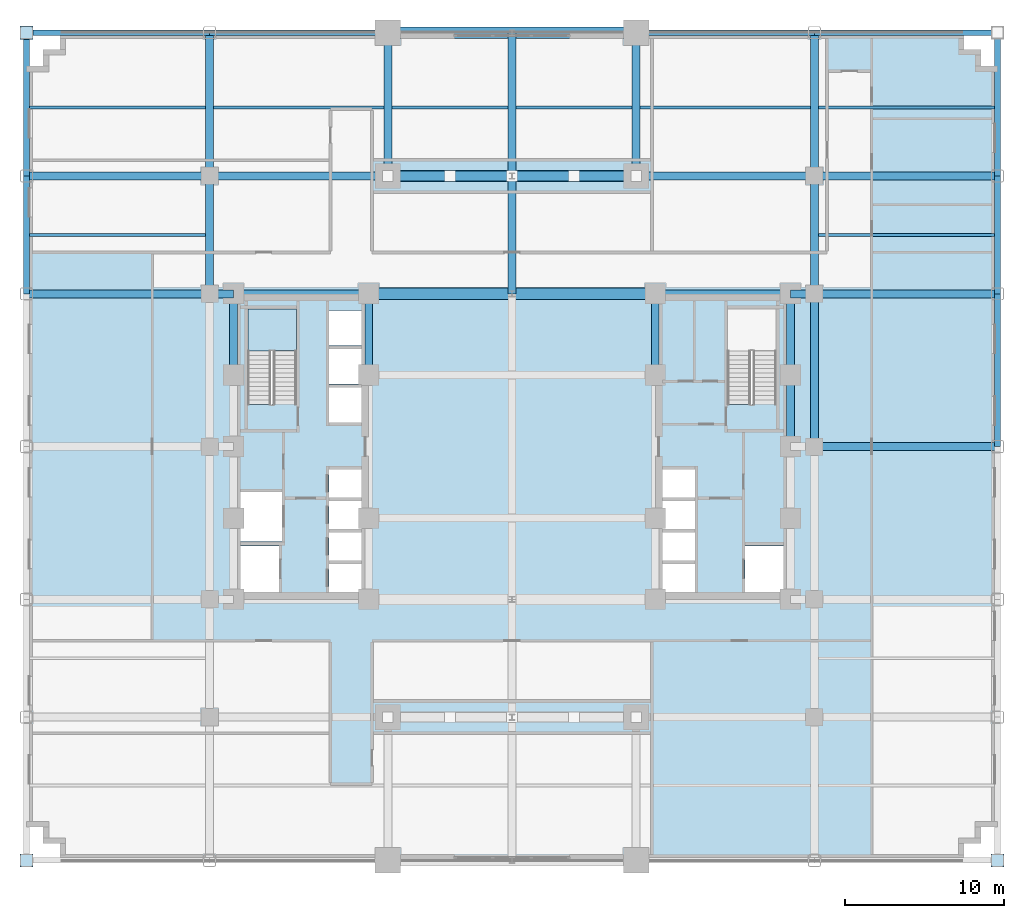
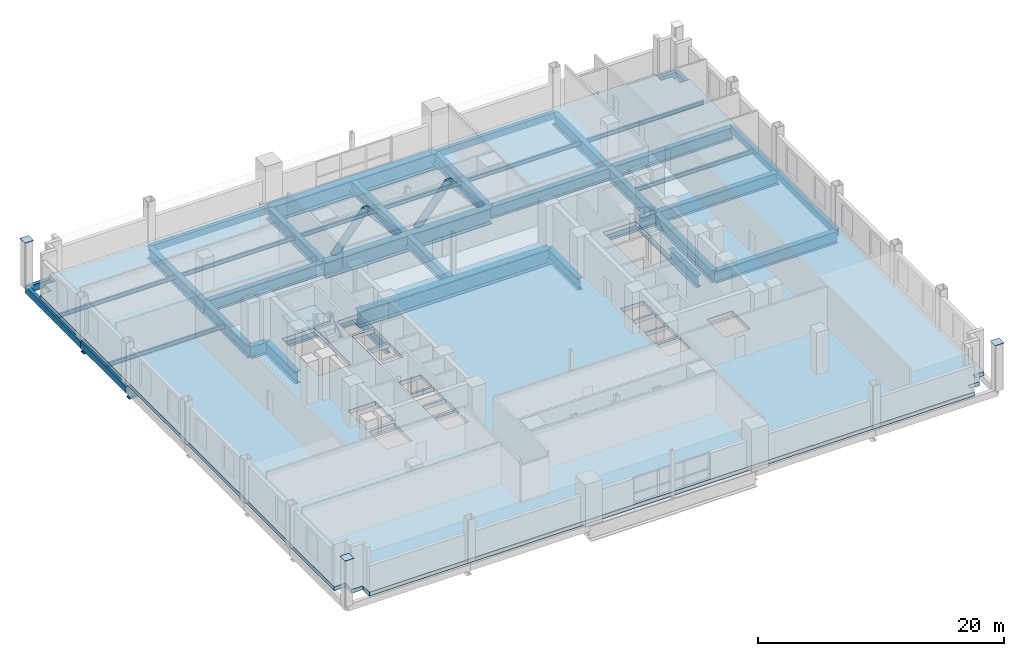
# One storey, part 5 of 17: 45 beams, 4 members, 3 plates, 2 slabs, 1 element without a shape of its own.
"""IFC4 building model written with IfcOpenShell, lengths in metres."""

from ifc_helpers import new_model, si_unit, direction, frame, origin, origin_2d, place, context, subcontext, project, spatial, polyline, rectangle, hollow_circle, i_section, outline, extrude, source, transform, mapped, material, layer, layer_set, material_profile, profile_set, type_object, type_shapes, element, aggregate, save


model = new_model("IFC4")

# Units and contexts
model_context = context("Model", 3, precision=1e-05, world=origin(), true_north=direction((0.0, 1.0)))
body_context = subcontext(model_context, "Body", "Model", "MODEL_VIEW")
ifc_project = project(units=[si_unit("LENGTHUNIT", "METRE"), si_unit("AREAUNIT", "SQUARE_METRE"), si_unit("VOLUMEUNIT", "CUBIC_METRE"), si_unit("PLANEANGLEUNIT", "RADIAN"), si_unit("MASSUNIT", "GRAM", prefix="KILO")], contexts=[model_context])

# Site, building, storey
site_placement = place(None, origin())
site = spatial("IfcSite", under=ifc_project, at=site_placement, CompositionType="ELEMENT")
building_placement = place(site_placement, origin())
building = spatial("IfcBuilding", under=site, at=building_placement, Name="Nuvemarco Arch Tower", CompositionType="ELEMENT")
storey_placement = place(building_placement, frame((0.0, 0.0, 18.39990234375)))
storey = spatial("IfcBuildingStorey", under=building, at=storey_placement, Name="L04", CompositionType="ELEMENT", Elevation=18.39990234375)

# Beams
ifc_material_1 = material(Name="Steel S460", Category="steel")
ifc_material_profile_1 = material_profile(ifc_material_1, i_section(OverallWidth=0.699951171875, OverallDepth=1.60009765625, WebThickness=0.035888671875, FlangeThickness=0.06494140625, FilletRadius=0.02392578125, at=origin_2d()), Name="PG1600x700")
ifc_profile_set_1 = profile_set([ifc_material_profile_1], Name="Steel S460")
beam_type_1 = type_object("IfcBeamType", Name="BM-ARCH-TRUSS", PredefinedType="BEAM", material=ifc_profile_set_1)
beam_1_placement = place(storey_placement, frame((-9.0, 9.60009765625, -1.199951171875), z_axis=(1.0, 0.0, 0.0), x_axis=(0.0, 1.0, 0.0)))
element("IfcBeam", 1, at=beam_1_placement, inside=storey, type_object=beam_type_1, Name="L04 Giant Arch transfer girder chord +9.6", PredefinedType="BEAM", context=body_context, shape_type="SweptSolid", body=[
    extrude(i_section(OverallWidth=0.699951171875, OverallDepth=1.60009765625, WebThickness=0.035888671875, FlangeThickness=0.06494140625, FilletRadius=0.02392578125, at=origin_2d()), origin(), (0.0, 0.0, 1.0), 18.0),
])
beam_2_placement = place(storey_placement, frame((-7.800048828125, 17.0, -1.199951171875), z_axis=(1.0, 0.0, 0.0), x_axis=(0.0, 1.0, 0.0)))
element("IfcBeam", 2, at=beam_2_placement, inside=storey, type_object=beam_type_1, Name="L04 Giant Arch transfer girder chord +17.0", PredefinedType="BEAM", context=body_context, shape_type="SweptSolid", body=[
    extrude(i_section(OverallWidth=0.699951171875, OverallDepth=1.60009765625, WebThickness=0.035888671875, FlangeThickness=0.06494140625, FilletRadius=0.02392578125, at=origin_2d()), origin(), (0.0, 0.0, 1.0), 15.60009765625),
])
ifc_material_profile_2 = material_profile(ifc_material_1, i_section(OverallWidth=0.699951171875, OverallDepth=1.60009765625, WebThickness=0.035888671875, FlangeThickness=0.06494140625, FilletRadius=0.02392578125, at=origin_2d()), Name="PG1600x700")
ifc_profile_set_2 = profile_set([ifc_material_profile_2], Name="Steel S460")
beam_type_2 = type_object("IfcBeamType", Name="BM-ARCH-TRUSS-EXT", PredefinedType="BEAM", material=ifc_profile_set_2)
beam_3_placement = place(storey_placement, frame((-7.800048828125, 26.0, -1.199951171875), z_axis=(1.0, 0.0, 0.0), x_axis=(0.0, 1.0, 0.0)))
element("IfcBeam", 3, at=beam_3_placement, inside=storey, type_object=beam_type_2, Name="L04 Giant Arch transfer girder chord +26.0", PredefinedType="BEAM", context=body_context, shape_type="SweptSolid", body=[
    extrude(i_section(OverallWidth=0.699951171875, OverallDepth=1.60009765625, WebThickness=0.035888671875, FlangeThickness=0.06494140625, FilletRadius=0.02392578125, at=origin_2d()), origin(), (0.0, 0.0, 1.0), 15.60009765625),
])
ifc_material_2 = material(Name="Steel S355", Category="steel")
ifc_material_profile_3 = material_profile(ifc_material_2, i_section(OverallWidth=0.5, OverallDepth=1.199951171875, WebThickness=0.02587890625, FlangeThickness=0.0400390625, FilletRadius=0.01806640625, at=origin_2d()), Name="PG1200x500")
ifc_profile_set_3 = profile_set([ifc_material_profile_3], Name="Steel S355")
beam_type_3 = type_object("IfcBeamType", Name="BM-GIRD-1200", PredefinedType="BEAM", material=ifc_profile_set_3)
beam_4_placement = place(storey_placement, frame((-19.0, 9.60009765625, -1.0), z_axis=(0.0, 1.0, 0.0), x_axis=(-1.0, 0.0, 0.0)))
element("IfcBeam", 4, at=beam_4_placement, inside=storey, type_object=beam_type_3, Name="L04 structural beam BGNS_L04_0_-19.0_+9.6", PredefinedType="BEAM", context=body_context, shape_type="SweptSolid", body=[
    extrude(i_section(OverallWidth=0.5, OverallDepth=1.199951171875, WebThickness=0.02587890625, FlangeThickness=0.0400390625, FilletRadius=0.01806640625, at=origin_2d()), origin(), (0.0, 0.0, 1.0), 7.39990234375),
])
beam_5_placement = place(storey_placement, frame((-19.0, 17.0, -1.0), z_axis=(0.0, 1.0, 0.0), x_axis=(-1.0, 0.0, 0.0)))
element("IfcBeam", 5, at=beam_5_placement, inside=storey, type_object=beam_type_3, Name="L04 structural beam BGNS_L04_0_-19.0_+17.0", PredefinedType="BEAM", context=body_context, shape_type="SweptSolid", body=[
    extrude(i_section(OverallWidth=0.5, OverallDepth=1.199951171875, WebThickness=0.02587890625, FlangeThickness=0.0400390625, FilletRadius=0.01806640625, at=origin_2d()), origin(), (0.0, 0.0, 1.0), 9.0),
])
for number, where, z_axis, x_axis, name in (
    (6, (-17.5, 4.5, -1.0), (0.0, 1.0, 0.0), (-1.0, 0.0, 0.0), "L04 structural beam BGNS_L04_0_-17.5_+4.5"),
    (7, (-9.0, 4.5, -1.0), (0.0, 1.0, 0.0), (-1.0, 0.0, 0.0), "L04 structural beam BGNS_L04_0_-9.0_+4.5"),
):
    element("IfcBeam", number, at=place(storey_placement, frame(where, z_axis=z_axis, x_axis=x_axis)), inside=storey, type_object=beam_type_3, Name=name, PredefinedType="BEAM", context=body_context, shape_type="SweptSolid", body=[
        extrude(i_section(OverallWidth=0.5, OverallDepth=1.199951171875, WebThickness=0.02587890625, FlangeThickness=0.0400390625, FilletRadius=0.01806640625, at=origin_2d()), origin(), (0.0, 0.0, 1.0), 5.10009765625),
    ])
beam_6_placement = place(storey_placement, frame((-7.800048828125, 17.0, -1.0), z_axis=(0.0, 1.0, 0.0), x_axis=(-1.0, 0.0, 0.0)))
element("IfcBeam", 8, at=beam_6_placement, inside=storey, type_object=beam_type_3, Name="L04 structural beam BGNS_L04_0_-7.8_+17.0", PredefinedType="BEAM", context=body_context, shape_type="SweptSolid", body=[
    extrude(i_section(OverallWidth=0.5, OverallDepth=1.199951171875, WebThickness=0.02587890625, FlangeThickness=0.0400390625, FilletRadius=0.01806640625, at=origin_2d()), origin(), (0.0, 0.0, 1.0), 9.0),
])
beam_7_placement = place(storey_placement, frame((0.0, 9.60009765625, -1.0), z_axis=(0.0, 1.0, 0.0), x_axis=(-1.0, 0.0, 0.0)))
element("IfcBeam", 9, at=beam_7_placement, inside=storey, type_object=beam_type_3, Name="L04 structural beam BGNS_L04_0_+0.0_+9.6", PredefinedType="BEAM", context=body_context, shape_type="SweptSolid", body=[
    extrude(i_section(OverallWidth=0.5, OverallDepth=1.199951171875, WebThickness=0.02587890625, FlangeThickness=0.0400390625, FilletRadius=0.01806640625, at=origin_2d()), origin(), (0.0, 0.0, 1.0), 7.39990234375),
])
for number, where, z_axis, x_axis, name in (
    (10, (0.0, 17.0, -1.0), (0.0, 1.0, 0.0), (-1.0, 0.0, 0.0), "L04 structural beam BGNS_L04_0_+0.0_+17.0"),
    (11, (7.800048828125, 17.0, -1.0), (0.0, 1.0, 0.0), (-1.0, 0.0, 0.0), "L04 structural beam BGNS_L04_0_+7.8_+17.0"),
):
    element("IfcBeam", number, at=place(storey_placement, frame(where, z_axis=z_axis, x_axis=x_axis)), inside=storey, type_object=beam_type_3, Name=name, PredefinedType="BEAM", context=body_context, shape_type="SweptSolid", body=[
        extrude(i_section(OverallWidth=0.5, OverallDepth=1.199951171875, WebThickness=0.02587890625, FlangeThickness=0.0400390625, FilletRadius=0.01806640625, at=origin_2d()), origin(), (0.0, 0.0, 1.0), 9.0),
    ])
beam_8_placement = place(storey_placement, frame((9.0, 4.5, -1.0), z_axis=(0.0, 1.0, 0.0), x_axis=(-1.0, 0.0, 0.0)))
element("IfcBeam", 12, at=beam_8_placement, inside=storey, type_object=beam_type_3, Name="L04 structural beam BGNS_L04_0_+9.0_+4.5", PredefinedType="BEAM", context=body_context, shape_type="SweptSolid", body=[
    extrude(i_section(OverallWidth=0.5, OverallDepth=1.199951171875, WebThickness=0.02587890625, FlangeThickness=0.0400390625, FilletRadius=0.01806640625, at=origin_2d()), origin(), (0.0, 0.0, 1.0), 5.10009765625),
])
beam_9_placement = place(storey_placement, frame((17.5, 0.0, -1.0), z_axis=(0.0, 1.0, 0.0), x_axis=(-1.0, 0.0, 0.0)))
element("IfcBeam", 13, at=beam_9_placement, inside=storey, type_object=beam_type_3, Name="L04 structural beam BGNS_L04_0_+17.5_+0.0", PredefinedType="BEAM", context=body_context, shape_type="SweptSolid", body=[
    extrude(i_section(OverallWidth=0.5, OverallDepth=1.199951171875, WebThickness=0.02587890625, FlangeThickness=0.0400390625, FilletRadius=0.01806640625, at=origin_2d()), origin(), (0.0, 0.0, 1.0), 4.5),
])
beam_10_placement = place(storey_placement, frame((17.5, 4.5, -1.0), z_axis=(0.0, 1.0, 0.0), x_axis=(-1.0, 0.0, 0.0)))
element("IfcBeam", 14, at=beam_10_placement, inside=storey, type_object=beam_type_3, Name="L04 structural beam BGNS_L04_0_+17.5_+4.5", PredefinedType="BEAM", context=body_context, shape_type="SweptSolid", body=[
    extrude(i_section(OverallWidth=0.5, OverallDepth=1.199951171875, WebThickness=0.02587890625, FlangeThickness=0.0400390625, FilletRadius=0.01806640625, at=origin_2d()), origin(), (0.0, 0.0, 1.0), 5.10009765625),
])
beam_11_placement = place(storey_placement, frame((19.0, 0.0, -1.0), z_axis=(0.0, 1.0, 0.0), x_axis=(-1.0, 0.0, 0.0)))
element("IfcBeam", 15, at=beam_11_placement, inside=storey, type_object=beam_type_3, Name="L04 structural beam BGNS_L04_0_+19.0_+0.0", PredefinedType="BEAM", context=body_context, shape_type="SweptSolid", body=[
    extrude(i_section(OverallWidth=0.5, OverallDepth=1.199951171875, WebThickness=0.02587890625, FlangeThickness=0.0400390625, FilletRadius=0.01806640625, at=origin_2d()), origin(), (0.0, 0.0, 1.0), 9.60009765625),
])
beam_12_placement = place(storey_placement, frame((19.0, 9.60009765625, -1.0), z_axis=(0.0, 1.0, 0.0), x_axis=(-1.0, 0.0, 0.0)))
element("IfcBeam", 16, at=beam_12_placement, inside=storey, type_object=beam_type_3, Name="L04 structural beam BGNS_L04_0_+19.0_+9.6", PredefinedType="BEAM", context=body_context, shape_type="SweptSolid", body=[
    extrude(i_section(OverallWidth=0.5, OverallDepth=1.199951171875, WebThickness=0.02587890625, FlangeThickness=0.0400390625, FilletRadius=0.01806640625, at=origin_2d()), origin(), (0.0, 0.0, 1.0), 7.39990234375),
])
beam_13_placement = place(storey_placement, frame((19.0, 17.0, -1.0), z_axis=(0.0, 1.0, 0.0), x_axis=(-1.0, 0.0, 0.0)))
element("IfcBeam", 17, at=beam_13_placement, inside=storey, type_object=beam_type_3, Name="L04 structural beam BGNS_L04_0_+19.0_+17.0", PredefinedType="BEAM", context=body_context, shape_type="SweptSolid", body=[
    extrude(i_section(OverallWidth=0.5, OverallDepth=1.199951171875, WebThickness=0.02587890625, FlangeThickness=0.0400390625, FilletRadius=0.01806640625, at=origin_2d()), origin(), (0.0, 0.0, 1.0), 9.0),
])
for number, where, z_axis, x_axis, name in (
    (18, (19.0, 0.0, -1.0), (1.0, 0.0, 0.0), (0.0, 1.0, 0.0), "L04 structural beam BGEW_L04_0_+0.0_+19.0"),
    (19, (-30.5, 9.60009765625, -1.0), (1.0, 0.0, 0.0), (0.0, 1.0, 0.0), "L04 structural beam BGEW_L04_0_+9.6_-30.5"),
):
    element("IfcBeam", number, at=place(storey_placement, frame(where, z_axis=z_axis, x_axis=x_axis)), inside=storey, type_object=beam_type_3, Name=name, PredefinedType="BEAM", context=body_context, shape_type="SweptSolid", body=[
        extrude(i_section(OverallWidth=0.5, OverallDepth=1.199951171875, WebThickness=0.02587890625, FlangeThickness=0.0400390625, FilletRadius=0.01806640625, at=origin_2d()), origin(), (0.0, 0.0, 1.0), 11.5),
    ])
beam_14_placement = place(storey_placement, frame((-19.0, 9.60009765625, -1.0), z_axis=(1.0, 0.0, 0.0), x_axis=(0.0, 1.0, 0.0)))
element("IfcBeam", 20, at=beam_14_placement, inside=storey, type_object=beam_type_3, Name="L04 structural beam BGEW_L04_0_+9.6_-19.0", PredefinedType="BEAM", context=body_context, shape_type="SweptSolid", body=[
    extrude(i_section(OverallWidth=0.5, OverallDepth=1.199951171875, WebThickness=0.02587890625, FlangeThickness=0.0400390625, FilletRadius=0.01806640625, at=origin_2d()), origin(), (0.0, 0.0, 1.0), 1.5),
])
for number, where, z_axis, x_axis, name in (
    (21, (-17.5, 9.60009765625, -1.0), (1.0, 0.0, 0.0), (0.0, 1.0, 0.0), "L04 structural beam BGEW_L04_0_+9.6_-17.5"),
    (22, (9.0, 9.60009765625, -1.0), (1.0, 0.0, 0.0), (0.0, 1.0, 0.0), "L04 structural beam BGEW_L04_0_+9.6_+9.0"),
):
    element("IfcBeam", number, at=place(storey_placement, frame(where, z_axis=z_axis, x_axis=x_axis)), inside=storey, type_object=beam_type_3, Name=name, PredefinedType="BEAM", context=body_context, shape_type="SweptSolid", body=[
        extrude(i_section(OverallWidth=0.5, OverallDepth=1.199951171875, WebThickness=0.02587890625, FlangeThickness=0.0400390625, FilletRadius=0.01806640625, at=origin_2d()), origin(), (0.0, 0.0, 1.0), 8.5),
    ])
beam_15_placement = place(storey_placement, frame((17.5, 9.60009765625, -1.0), z_axis=(1.0, 0.0, 0.0), x_axis=(0.0, 1.0, 0.0)))
element("IfcBeam", 23, at=beam_15_placement, inside=storey, type_object=beam_type_3, Name="L04 structural beam BGEW_L04_0_+9.6_+17.5", PredefinedType="BEAM", context=body_context, shape_type="SweptSolid", body=[
    extrude(i_section(OverallWidth=0.5, OverallDepth=1.199951171875, WebThickness=0.02587890625, FlangeThickness=0.0400390625, FilletRadius=0.01806640625, at=origin_2d()), origin(), (0.0, 0.0, 1.0), 1.5),
])
for number, where, z_axis, x_axis, name in (
    (24, (19.0, 9.60009765625, -1.0), (1.0, 0.0, 0.0), (0.0, 1.0, 0.0), "L04 structural beam BGEW_L04_0_+9.6_+19.0"),
    (25, (-30.5, 17.0, -1.0), (1.0, 0.0, 0.0), (0.0, 1.0, 0.0), "L04 structural beam BGEW_L04_0_+17.0_-30.5"),
):
    element("IfcBeam", number, at=place(storey_placement, frame(where, z_axis=z_axis, x_axis=x_axis)), inside=storey, type_object=beam_type_3, Name=name, PredefinedType="BEAM", context=body_context, shape_type="SweptSolid", body=[
        extrude(i_section(OverallWidth=0.5, OverallDepth=1.199951171875, WebThickness=0.02587890625, FlangeThickness=0.0400390625, FilletRadius=0.01806640625, at=origin_2d()), origin(), (0.0, 0.0, 1.0), 11.5),
    ])
for number, where, z_axis, x_axis, name in (
    (26, (-19.0, 17.0, -1.0), (1.0, 0.0, 0.0), (0.0, 1.0, 0.0), "L04 structural beam BGEW_L04_0_+17.0_-19.0"),
    (27, (7.800048828125, 17.0, -1.0), (1.0, 0.0, 0.0), (0.0, 1.0, 0.0), "L04 structural beam BGEW_L04_0_+17.0_+7.8"),
):
    element("IfcBeam", number, at=place(storey_placement, frame(where, z_axis=z_axis, x_axis=x_axis)), inside=storey, type_object=beam_type_3, Name=name, PredefinedType="BEAM", context=body_context, shape_type="SweptSolid", body=[
        extrude(i_section(OverallWidth=0.5, OverallDepth=1.199951171875, WebThickness=0.02587890625, FlangeThickness=0.0400390625, FilletRadius=0.01806640625, at=origin_2d()), origin(), (0.0, 0.0, 1.0), 11.199951171875),
    ])
beam_16_placement = place(storey_placement, frame((19.0, 17.0, -1.0), z_axis=(1.0, 0.0, 0.0), x_axis=(0.0, 1.0, 0.0)))
element("IfcBeam", 28, at=beam_16_placement, inside=storey, type_object=beam_type_3, Name="L04 structural beam BGEW_L04_0_+17.0_+19.0", PredefinedType="BEAM", context=body_context, shape_type="SweptSolid", body=[
    extrude(i_section(OverallWidth=0.5, OverallDepth=1.199951171875, WebThickness=0.02587890625, FlangeThickness=0.0400390625, FilletRadius=0.01806640625, at=origin_2d()), origin(), (0.0, 0.0, 1.0), 11.5),
])
ifc_material_profile_4 = material_profile(ifc_material_2, i_section(OverallWidth=0.179931640625, OverallDepth=0.4130859375, WebThickness=0.009765625, FlangeThickness=0.01611328125, FilletRadius=0.014892578125, at=origin_2d()), Name="W410x75")
ifc_profile_set_4 = profile_set([ifc_material_profile_4], Name="Steel S355")
beam_type_4 = type_object("IfcBeamType", Name="BM-JOIST-410", PredefinedType="JOIST", material=ifc_profile_set_4)
for number, where, z_axis, x_axis, name in (
    (29, (-30.324951171875, 13.300048828125, -0.6064453125), (1.0, 0.0, 0.0), (0.0, 1.0, 0.0), "L04 structural beam BJ_L04_0_+13.3_-30.5"),
    (30, (19.25, 13.300048828125, -0.6064453125), (1.0, 0.0, 0.0), (0.0, 1.0, 0.0), "L04 structural beam BJ_L04_0_+13.3_+19.0"),
    (31, (-30.324951171875, 21.300048828125, -0.6064453125), (1.0, 0.0, 0.0), (0.0, 1.0, 0.0), "L04 structural beam BJ_L04_0_+21.3_-30.5"),
):
    element("IfcBeam", number, at=place(storey_placement, frame(where, z_axis=z_axis, x_axis=x_axis)), inside=storey, type_object=beam_type_4, Name=name, PredefinedType="JOIST", context=body_context, shape_type="SweptSolid", body=[
        extrude(i_section(OverallWidth=0.179931640625, OverallDepth=0.4130859375, WebThickness=0.009765625, FlangeThickness=0.01611328125, FilletRadius=0.014892578125, at=origin_2d()), origin(), (0.0, 0.0, 1.0), 11.074951171875),
    ])
beam_17_placement = place(storey_placement, frame((-18.75, 21.300048828125, -0.6064453125), z_axis=(1.0, 0.0, 0.0), x_axis=(0.0, 1.0, 0.0)))
element("IfcBeam", 32, at=beam_17_placement, inside=storey, type_object=beam_type_4, Name="L04 structural beam BJ_L04_0_+21.3_-19.0", PredefinedType="JOIST", context=body_context, shape_type="SweptSolid", body=[
    extrude(i_section(OverallWidth=0.179931640625, OverallDepth=0.4130859375, WebThickness=0.009765625, FlangeThickness=0.01611328125, FilletRadius=0.014892578125, at=origin_2d()), origin(), (0.0, 0.0, 1.0), 10.699951171875),
])
for number, where, z_axis, x_axis, name in (
    (33, (-7.550048828125, 21.300048828125, -0.6064453125), (1.0, 0.0, 0.0), (0.0, 1.0, 0.0), "L04 structural beam BJ_L04_0_+21.3_-7.8"),
    (34, (0.25, 21.300048828125, -0.6064453125), (1.0, 0.0, 0.0), (0.0, 1.0, 0.0), "L04 structural beam BJ_L04_0_+21.3_+0.0"),
):
    element("IfcBeam", number, at=place(storey_placement, frame(where, z_axis=z_axis, x_axis=x_axis)), inside=storey, type_object=beam_type_4, Name=name, PredefinedType="JOIST", context=body_context, shape_type="SweptSolid", body=[
        extrude(i_section(OverallWidth=0.179931640625, OverallDepth=0.4130859375, WebThickness=0.009765625, FlangeThickness=0.01611328125, FilletRadius=0.014892578125, at=origin_2d()), origin(), (0.0, 0.0, 1.0), 7.300048828125),
    ])
beam_18_placement = place(storey_placement, frame((8.050048828125, 21.300048828125, -0.6064453125), z_axis=(1.0, 0.0, 0.0), x_axis=(0.0, 1.0, 0.0)))
element("IfcBeam", 35, at=beam_18_placement, inside=storey, type_object=beam_type_4, Name="L04 structural beam BJ_L04_0_+21.3_+7.8", PredefinedType="JOIST", context=body_context, shape_type="SweptSolid", body=[
    extrude(i_section(OverallWidth=0.179931640625, OverallDepth=0.4130859375, WebThickness=0.009765625, FlangeThickness=0.01611328125, FilletRadius=0.014892578125, at=origin_2d()), origin(), (0.0, 0.0, 1.0), 10.699951171875),
])
beam_19_placement = place(storey_placement, frame((19.25, 21.300048828125, -0.6064453125), z_axis=(1.0, 0.0, 0.0), x_axis=(0.0, 1.0, 0.0)))
element("IfcBeam", 36, at=beam_19_placement, inside=storey, type_object=beam_type_4, Name="L04 structural beam BJ_L04_0_+21.3_+19.0", PredefinedType="JOIST", context=body_context, shape_type="SweptSolid", body=[
    extrude(i_section(OverallWidth=0.179931640625, OverallDepth=0.4130859375, WebThickness=0.009765625, FlangeThickness=0.01611328125, FilletRadius=0.014892578125, at=origin_2d()), origin(), (0.0, 0.0, 1.0), 11.074951171875),
])
ifc_material_3 = material(Name="Precast concrete C45/55", Category="concrete")
ifc_material_profile_5 = material_profile(ifc_material_3, rectangle(XDim=0.35009765625, YDim=0.64990234375, at=origin_2d()), Name="PC-SP-350x650")
ifc_profile_set_5 = profile_set([ifc_material_profile_5], Name="Precast concrete C45/55")
beam_type_5 = type_object("IfcBeamType", Name="BM-SPAN-RC", PredefinedType="SPANDREL", material=ifc_profile_set_5)
beam_20_placement = place(storey_placement, frame((-30.5, 9.60009765625, -0.724853515625), z_axis=(0.0, 1.0, 0.0), x_axis=(-1.0, 0.0, 0.0)))
element("IfcBeam", 37, at=beam_20_placement, inside=storey, type_object=beam_type_5, Name="L04 structural beam BGNS_L04_0_-30.5_+9.6", PredefinedType="SPANDREL", context=body_context, shape_type="SweptSolid", body=[
    extrude(rectangle(XDim=0.35009765625, YDim=0.64990234375, at=origin_2d()), origin(), (0.0, 0.0, 1.0), 7.39990234375),
])
beam_21_placement = place(storey_placement, frame((-30.5, 17.0, -0.724853515625), z_axis=(0.0, 1.0, 0.0), x_axis=(-1.0, 0.0, 0.0)))
element("IfcBeam", 38, at=beam_21_placement, inside=storey, type_object=beam_type_5, Name="L04 structural beam BGNS_L04_0_-30.5_+17.0", PredefinedType="SPANDREL", context=body_context, shape_type="SweptSolid", body=[
    extrude(rectangle(XDim=0.35009765625, YDim=0.64990234375, at=origin_2d()), origin(), (0.0, 0.0, 1.0), 9.0),
])
beam_22_placement = place(storey_placement, frame((30.5, 0.0, -0.724853515625), z_axis=(0.0, 1.0, 0.0), x_axis=(-1.0, 0.0, 0.0)))
element("IfcBeam", 39, at=beam_22_placement, inside=storey, type_object=beam_type_5, Name="L04 structural beam BGNS_L04_0_+30.5_+0.0", PredefinedType="SPANDREL", context=body_context, shape_type="SweptSolid", body=[
    extrude(rectangle(XDim=0.35009765625, YDim=0.64990234375, at=origin_2d()), origin(), (0.0, 0.0, 1.0), 9.60009765625),
])
beam_23_placement = place(storey_placement, frame((30.5, 9.60009765625, -0.724853515625), z_axis=(0.0, 1.0, 0.0), x_axis=(-1.0, 0.0, 0.0)))
element("IfcBeam", 40, at=beam_23_placement, inside=storey, type_object=beam_type_5, Name="L04 structural beam BGNS_L04_0_+30.5_+9.6", PredefinedType="SPANDREL", context=body_context, shape_type="SweptSolid", body=[
    extrude(rectangle(XDim=0.35009765625, YDim=0.64990234375, at=origin_2d()), origin(), (0.0, 0.0, 1.0), 7.39990234375),
])
beam_24_placement = place(storey_placement, frame((30.5, 17.0, -0.724853515625), z_axis=(0.0, 1.0, 0.0), x_axis=(-1.0, 0.0, 0.0)))
element("IfcBeam", 41, at=beam_24_placement, inside=storey, type_object=beam_type_5, Name="L04 structural beam BGNS_L04_0_+30.5_+17.0", PredefinedType="SPANDREL", context=body_context, shape_type="SweptSolid", body=[
    extrude(rectangle(XDim=0.35009765625, YDim=0.64990234375, at=origin_2d()), origin(), (0.0, 0.0, 1.0), 9.0),
])
beam_25_placement = place(storey_placement, frame((-30.5, 26.0, -0.724853515625), z_axis=(1.0, 0.0, 0.0), x_axis=(0.0, 1.0, 0.0)))
element("IfcBeam", 42, at=beam_25_placement, inside=storey, type_object=beam_type_5, Name="L04 structural beam BGEW_L04_0_+26.0_-30.5", PredefinedType="SPANDREL", context=body_context, shape_type="SweptSolid", body=[
    extrude(rectangle(XDim=0.35009765625, YDim=0.64990234375, at=origin_2d()), origin(), (0.0, 0.0, 1.0), 11.5),
])
for number, where, z_axis, x_axis, name in (
    (43, (-19.0, 26.0, -0.724853515625), (1.0, 0.0, 0.0), (0.0, 1.0, 0.0), "L04 structural beam BGEW_L04_0_+26.0_-19.0"),
    (44, (7.800048828125, 26.0, -0.724853515625), (1.0, 0.0, 0.0), (0.0, 1.0, 0.0), "L04 structural beam BGEW_L04_0_+26.0_+7.8"),
):
    element("IfcBeam", number, at=place(storey_placement, frame(where, z_axis=z_axis, x_axis=x_axis)), inside=storey, type_object=beam_type_5, Name=name, PredefinedType="SPANDREL", context=body_context, shape_type="SweptSolid", body=[
        extrude(rectangle(XDim=0.35009765625, YDim=0.64990234375, at=origin_2d()), origin(), (0.0, 0.0, 1.0), 11.199951171875),
    ])
beam_26_placement = place(storey_placement, frame((19.0, 26.0, -0.724853515625), z_axis=(1.0, 0.0, 0.0), x_axis=(0.0, 1.0, 0.0)))
element("IfcBeam", 45, at=beam_26_placement, inside=storey, type_object=beam_type_5, Name="L04 structural beam BGEW_L04_0_+26.0_+19.0", PredefinedType="SPANDREL", context=body_context, shape_type="SweptSolid", body=[
    extrude(rectangle(XDim=0.35009765625, YDim=0.64990234375, at=origin_2d()), origin(), (0.0, 0.0, 1.0), 11.5),
])

# Members
ifc_material_profile_6 = material_profile(ifc_material_2, hollow_circle(Radius=0.304931640625, WallThickness=0.0400390625, at=origin_2d()), Name="CHS610x40")
ifc_profile_set_6 = profile_set([ifc_material_profile_6], Name="Steel S355")
member_type = type_object("IfcMemberType", Name="MB-ARCH-DIAG", PredefinedType="BRACE", material=ifc_profile_set_6)
member_1_placement = place(storey_placement, frame((-7.800048828125, 17.0, -1.199951171875), z_axis=(0.646691395625, 0.0, 0.762751754389), x_axis=(0.0, 1.0, 0.0)))
element("IfcMember", 46, at=member_1_placement, inside=storey, type_object=member_type, Name="L04 Giant Arch transfer truss diagonal 1", PredefinedType="BRACE", context=body_context, shape_type="SweptSolid", body=[
    extrude(hollow_circle(Radius=0.304931640625, WallThickness=0.0400390625, at=origin_2d()), origin(), (0.0, 0.0, 1.0), 6.031005859375),
])
for number, where, z_axis, x_axis, name in (
    (47, (-3.89990234375, 17.0, 3.400146484375), (0.64666784298, 0.0, -0.762771722638), (0.0, 1.0, 0.0), "L04 Giant Arch transfer truss diagonal 2"),
    (48, (0.0, 17.0, -1.199951171875), (0.64666784298, 0.0, 0.762771722638), (0.0, 1.0, 0.0), "L04 Giant Arch transfer truss diagonal 3"),
):
    element("IfcMember", number, at=place(storey_placement, frame(where, z_axis=z_axis, x_axis=x_axis)), inside=storey, type_object=member_type, Name=name, PredefinedType="BRACE", context=body_context, shape_type="SweptSolid", body=[
        extrude(hollow_circle(Radius=0.304931640625, WallThickness=0.0400390625, at=origin_2d()), origin(), (0.0, 0.0, 1.0), 6.03076171875),
    ])
member_2_placement = place(storey_placement, frame((3.89990234375, 17.0, 3.400146484375), z_axis=(0.646691395625, 0.0, -0.762751754389), x_axis=(0.0, 1.0, 0.0)))
element("IfcMember", 49, at=member_2_placement, inside=storey, type_object=member_type, Name="L04 Giant Arch transfer truss diagonal 4", PredefinedType="BRACE", context=body_context, shape_type="SweptSolid", body=[
    extrude(hollow_circle(Radius=0.304931640625, WallThickness=0.0400390625, at=origin_2d()), origin(), (0.0, 0.0, 1.0), 6.031005859375),
])

# Slab
ifc_material_4 = material(Name="Concrete C60/75", Category="concrete")
ifc_layer_1 = layer(ifc_material_4, 0.39990234375, Name="SL-FLR-400")
ifc_layer_set_1 = layer_set([ifc_layer_1], Name="Concrete C60/75")
slab_type_1 = type_object("IfcSlabType", Name="SL-FLR-400", PredefinedType="FLOOR", material=ifc_layer_set_1)
slab_1_placement = place(storey_placement, frame((0.0, 0.0, -0.39990234375)))
element("IfcSlab", 50, at=slab_1_placement, inside=storey, type_object=slab_type_1, Name="L04 structural floor slab", PredefinedType="FLOOR", context=body_context, shape_type="SweptSolid", body=[
    extrude(outline(polyline([(-28.39990234375, -26.0), (28.39990234375, -26.0), (28.39990234375, -24.949951171875), (29.449951171875, -24.949951171875), (29.449951171875, -23.89990234375), (30.5, -23.89990234375), (30.5, 23.89990234375), (29.449951171875, 23.89990234375), (29.449951171875, 24.949951171875), (28.39990234375, 24.949951171875), (28.39990234375, 26.0), (-28.39990234375, 26.0), (-28.39990234375, 24.949951171875), (-29.449951171875, 24.949951171875), (-29.449951171875, 23.89990234375), (-30.5, 23.89990234375), (-30.5, -23.89990234375), (-29.449951171875, -23.89990234375), (-29.449951171875, -24.949951171875), (-28.39990234375, -24.949951171875), (-28.39990234375, -26.0)]), holes=[polyline([(-13.5400390625, 2.669921875), (-13.5400390625, 8.64990234375), (-16.60009765625, 8.64990234375), (-16.60009765625, 2.630615234375), (-15.070068359375, 2.630615234375), (-15.070068359375, 2.669921875), (-13.5400390625, 2.669921875)]), polyline([(16.60009765625, 2.669921875), (16.60009765625, 8.64990234375), (13.5400390625, 8.64990234375), (13.5400390625, 2.630615234375), (15.070068359375, 2.630615234375), (15.070068359375, 2.669921875), (16.60009765625, 2.669921875)]), polyline([(-17.050048828125, -9.14990234375), (-14.64990234375, -9.14990234375), (-14.64990234375, -6.25), (-17.050048828125, -6.25), (-17.050048828125, -9.14990234375)]), polyline([(-17.050048828125, -5.949951171875), (-14.449951171875, -5.949951171875), (-14.449951171875, -2.85009765625), (-17.050048828125, -2.85009765625), (-17.050048828125, -5.949951171875)]), polyline([(-11.5, -9.14990234375), (-9.35009765625, -9.14990234375), (-9.35009765625, -7.3701171875), (-11.5, -7.3701171875), (-11.5, -9.14990234375)]), polyline([(-11.5, -7.169921875), (-9.35009765625, -7.169921875), (-9.35009765625, -5.389892578125), (-11.5, -5.389892578125), (-11.5, -7.169921875)]), polyline([(-11.5, -5.18994140625), (-9.35009765625, -5.18994140625), (-9.35009765625, -3.409912109375), (-11.5, -3.409912109375), (-11.5, -5.18994140625)]), polyline([(-11.5, -3.2099609375), (-9.35009765625, -3.2099609375), (-9.35009765625, -1.429931640625), (-11.5, -1.429931640625), (-11.5, -3.2099609375)]), polyline([(-11.5, 1.5), (-9.35009765625, 1.5), (-9.35009765625, 3.699951171875), (-11.5, 3.699951171875), (-11.5, 1.5)]), polyline([(-11.5, 3.919921875), (-9.35009765625, 3.919921875), (-9.35009765625, 6.1201171875), (-11.5, 6.1201171875), (-11.5, 3.919921875)]), polyline([(-11.5, 6.340087890625), (-9.35009765625, 6.340087890625), (-9.35009765625, 8.5400390625), (-11.5, 8.5400390625), (-11.5, 6.340087890625)]), polyline([(14.64990234375, -9.14990234375), (17.050048828125, -9.14990234375), (17.050048828125, -6.25), (14.64990234375, -6.25), (14.64990234375, -9.14990234375)]), polyline([(9.35009765625, -9.14990234375), (11.5, -9.14990234375), (11.5, -7.3701171875), (9.35009765625, -7.3701171875), (9.35009765625, -9.14990234375)]), polyline([(9.35009765625, -7.169921875), (11.5, -7.169921875), (11.5, -5.389892578125), (9.35009765625, -5.389892578125), (9.35009765625, -7.169921875)]), polyline([(9.35009765625, -5.18994140625), (11.5, -5.18994140625), (11.5, -3.409912109375), (9.35009765625, -3.409912109375), (9.35009765625, -5.18994140625)]), polyline([(9.35009765625, -3.2099609375), (11.5, -3.2099609375), (11.5, -1.429931640625), (9.35009765625, -1.429931640625), (9.35009765625, -3.2099609375)])]), origin(), (0.0, 0.0, 1.0), 0.39990234375),
])

# Stair, slab
stair_type = type_object("IfcStairType", Name="ST-CORE-26R", PredefinedType="HALF_TURN_STAIR", material=ifc_material_3)
stair_placement = place(storey_placement, origin())
stair = element("IfcStair", 51, at=stair_placement, inside=storey, type_object=stair_type, Name="L04 Protected Exit Stair ST-1", PredefinedType="HALF_TURN_STAIR")
ifc_layer_2 = layer(ifc_material_3, 0.199951171875, Name="SL-LANDING-200")
ifc_layer_set_2 = layer_set([ifc_layer_2], Name="Precast concrete C45/55")
slab_type_2 = type_object("IfcSlabType", Name="SL-LANDING-200", PredefinedType="LANDING", material=ifc_layer_set_2)
slab_2_placement = place(storey_placement, frame((0.0, 0.0, 2.10009765625)))
slab_2 = element("IfcSlab", 52, at=slab_2_placement, type_object=slab_type_2, Name="ST-26R landing 1", PredefinedType="LANDING", context=body_context, shape_type="SweptSolid", body=[
    extrude(outline(polyline([(-13.5400390625, 6.029296875), (-13.5400390625, 8.64990234375), (-16.60009765625, 8.64990234375), (-16.60009765625, 6.010009765625), (-15.070068359375, 6.010009765625), (-15.070068359375, 6.029296875), (-13.5400390625, 6.029296875)])), origin(), (0.0, 0.0, 1.0), 0.199951171875),
])
aggregate(stair, [slab_2])

# Plates
ifc_layer_3 = layer(ifc_material_1, 0.030029296875, Name="PL-CAP-800-EXT")
ifc_layer_set_3 = layer_set([ifc_layer_3], Name="Steel S460")
plate_type = type_object("IfcPlateType", Name="PL-CAP-800-EXT", PredefinedType="SHEET", material=ifc_layer_set_3)
shared_shape = source(origin(), body_context, "Body", "SweptSolid", [
    extrude(rectangle(XDim=0.820068359375, YDim=0.820068359375, at=origin_2d()), origin(), (0.0, 0.0, 1.0), 0.030029296875),
])
type_shapes(plate_type, [shared_shape])
for number, where, z_axis, x_axis, name in (
    (53, (-30.5, -26.0, 4.18505859375), (0.0, 0.0, 1.0), (1.0, 0.0, 0.0), "Hollow steel end-cap plate COL-L04-CP_-30.5_-26.0_TOP"),
    (54, (-30.5, 26.0, 4.18505859375), (0.0, 0.0, 1.0), (1.0, 0.0, 0.0), "Hollow steel end-cap plate COL-L04-CP_-30.5_+26.0_TOP"),
    (55, (30.5, -26.0, 4.18505859375), (0.0, 0.0, 1.0), (1.0, 0.0, 0.0), "Hollow steel end-cap plate COL-L04-CP_+30.5_-26.0_TOP"),
):
    element("IfcPlate", number, at=place(storey_placement, frame(where, z_axis=z_axis, x_axis=x_axis)), inside=storey, type_object=plate_type, Name=name, PredefinedType="SHEET", context=body_context, shape_type="MappedRepresentation", body=[
        mapped(shared_shape, transform((0.0, 0.0, 0.0), scale=1.0)),
    ])

save(model, "model.ifc")
